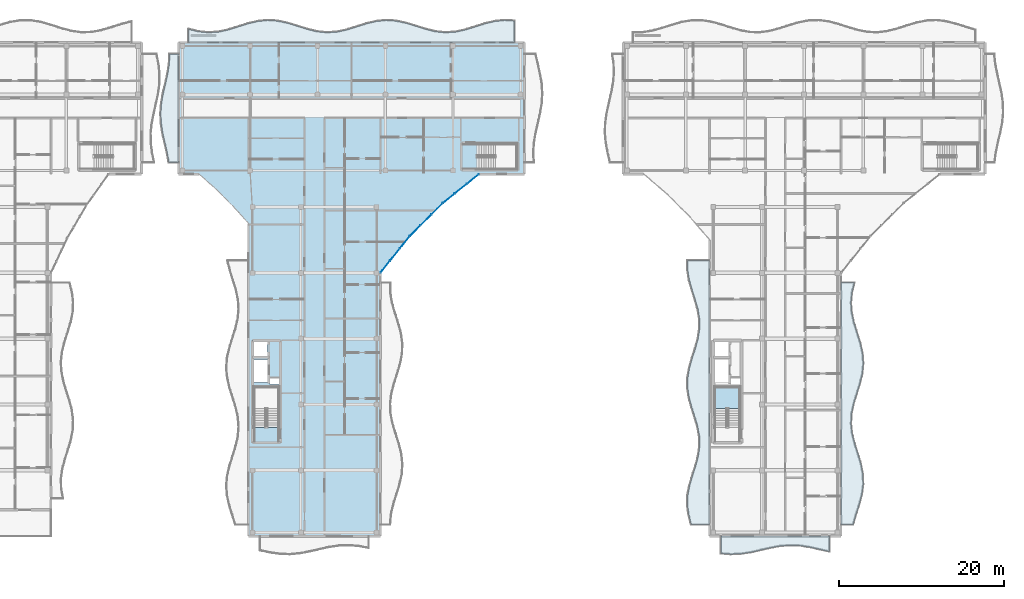
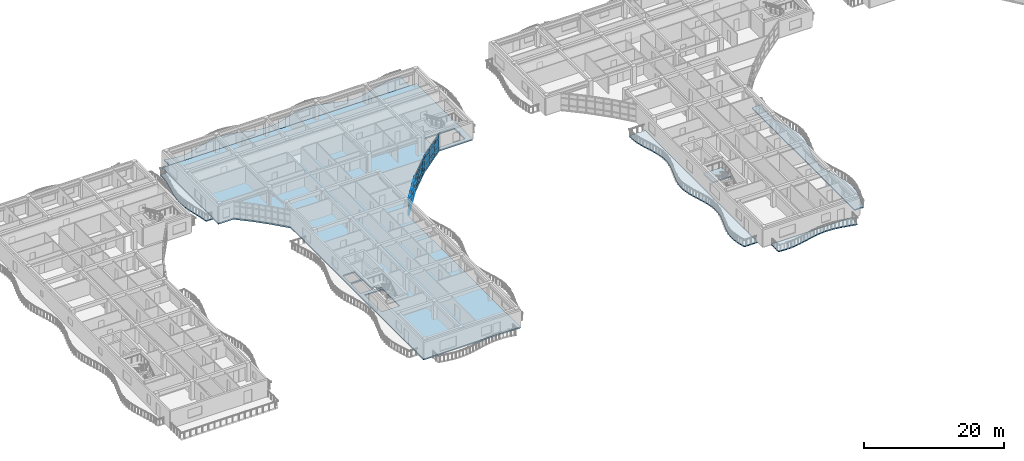
# One storey, part 25 of 72: 27 plates, 7 slabs, 4 elements without a shape of their own.
"""IFC4 building model written with IfcOpenShell, lengths in metres."""

from ifc_helpers import new_model, si_unit, direction, frame, origin, origin_2d, place, context, subcontext, project, spatial, polyline, rectangle, outline, extrude, material, layer, layer_set, type_object, element, aggregate, save


model = new_model("IFC4")

# Units and contexts
model_context = context("Model", 3, precision=1e-05, world=origin(), true_north=direction((0.0, 1.0)))
body_context = subcontext(model_context, "Body", "Model", "MODEL_VIEW")
ifc_project = project(units=[si_unit("LENGTHUNIT", "METRE"), si_unit("AREAUNIT", "SQUARE_METRE"), si_unit("VOLUMEUNIT", "CUBIC_METRE"), si_unit("PLANEANGLEUNIT", "RADIAN"), si_unit("MASSUNIT", "GRAM", prefix="KILO")], contexts=[model_context])

# Site, building, storey
site_placement = place(None, origin())
site = spatial("IfcSite", under=ifc_project, at=site_placement, CompositionType="ELEMENT")
building_placement = place(site_placement, origin())
building = spatial("IfcBuilding", under=site, at=building_placement, Name="Keldmere Railside Commons", CompositionType="ELEMENT")
storey_placement = place(building_placement, frame((0.0, 0.0, 16.9599609375)))
storey = spatial("IfcBuildingStorey", under=building, at=storey_placement, Name="L05", CompositionType="ELEMENT", Elevation=16.9599609375)

# Curtain wall, plates
ifc_material_1 = material(Name="Thermally Broken Aluminium", Category="aluminium")
ifc_layer_1 = layer(ifc_material_1, 0.159912109375, Name="Court Chord Wintergarden CW 4800x2850")
ifc_layer_set_1 = layer_set([ifc_layer_1], Name="Thermally Broken Aluminium")
curtain_wall_type_1 = type_object("IfcCurtainWallType", Name="Court Chord Wintergarden CW 4800x2850", PredefinedType="NOTDEFINED", material=ifc_layer_set_1)
curtain_wall_1_placement = place(storey_placement, origin())
curtain_wall_1 = element("IfcCurtainWall", 1, at=curtain_wall_1_placement, inside=storey, type_object=curtain_wall_type_1, Name="CW-12 CW-L05-055", PredefinedType="NOTDEFINED")
ifc_material_2 = material(Name="Low-E Insulated Double Glazing", Category="glass")
ifc_layer_2 = layer(ifc_material_2, 0.033935546875, Name="Acoustic Laminated Vision Panel 34")
ifc_layer_set_2 = layer_set([ifc_layer_2], Name="Low-E Insulated Double Glazing")
plate_type_1 = type_object("IfcPlateType", Name="Acoustic Laminated Vision Panel 34", PredefinedType="CURTAIN_PANEL", material=ifc_layer_set_2)
plate_1_placement = place(storey_placement, frame((66.951416015625, 91.678955078125, 0.06494140625), z_axis=(0.0, 0.0, 1.0), x_axis=(-0.625768080915, -0.780009172323, 0.0)))
plate_1 = element("IfcPlate", 2, at=plate_1_placement, type_object=plate_type_1, Name="CW-12 panel 1.1", PredefinedType="CURTAIN_PANEL", context=body_context, shape_type="SweptSolid", body=[
    extrude(rectangle(XDim=1.795654296875, YDim=0.033935546875, at=origin_2d()), origin(), (0.0, 0.0, 1.0), 0.802490234375),
])
plate_2_placement = place(storey_placement, frame((66.951416015625, 91.678955078125, 0.9326171875), z_axis=(0.0, 0.0, 1.0), x_axis=(-0.625768080915, -0.780009172323, 0.0)))
plate_2 = element("IfcPlate", 3, at=plate_2_placement, type_object=plate_type_1, Name="CW-12 panel 1.2", PredefinedType="CURTAIN_PANEL", context=body_context, shape_type="SweptSolid", body=[
    extrude(rectangle(XDim=1.795654296875, YDim=0.033935546875, at=origin_2d()), origin(), (0.0, 0.0, 1.0), 1.18505859375),
])
plate_3_placement = place(storey_placement, frame((66.951416015625, 91.678955078125, 2.1826171875), z_axis=(0.0, 0.0, 1.0), x_axis=(-0.625768080915, -0.780009172323, 0.0)))
plate_3 = element("IfcPlate", 4, at=plate_3_placement, type_object=plate_type_1, Name="CW-12 panel 1.3", PredefinedType="CURTAIN_PANEL", context=body_context, shape_type="SweptSolid", body=[
    extrude(rectangle(XDim=1.795654296875, YDim=0.033935546875, at=origin_2d()), origin(), (0.0, 0.0, 1.0), 0.732421875),
])
plate_4_placement = place(storey_placement, frame((65.777099609375, 90.215087890625, 0.06494140625), z_axis=(0.0, 0.0, 1.0), x_axis=(-0.625768080915, -0.780009172323, 0.0)))
plate_4 = element("IfcPlate", 5, at=plate_4_placement, type_object=plate_type_1, Name="CW-12 panel 2.1", PredefinedType="CURTAIN_PANEL", context=body_context, shape_type="SweptSolid", body=[
    extrude(rectangle(XDim=1.828125, YDim=0.033935546875, at=origin_2d()), origin(), (0.0, 0.0, 1.0), 0.802490234375),
])
plate_5_placement = place(storey_placement, frame((65.777099609375, 90.215087890625, 0.9326171875), z_axis=(0.0, 0.0, 1.0), x_axis=(-0.625768080915, -0.780009172323, 0.0)))
plate_5 = element("IfcPlate", 6, at=plate_5_placement, type_object=plate_type_1, Name="CW-12 panel 2.2", PredefinedType="CURTAIN_PANEL", context=body_context, shape_type="SweptSolid", body=[
    extrude(rectangle(XDim=1.828125, YDim=0.033935546875, at=origin_2d()), origin(), (0.0, 0.0, 1.0), 1.18505859375),
])
plate_6_placement = place(storey_placement, frame((65.777099609375, 90.215087890625, 2.1826171875), z_axis=(0.0, 0.0, 1.0), x_axis=(-0.625768080915, -0.780009172323, 0.0)))
plate_6 = element("IfcPlate", 7, at=plate_6_placement, type_object=plate_type_1, Name="CW-12 panel 2.3", PredefinedType="CURTAIN_PANEL", context=body_context, shape_type="SweptSolid", body=[
    extrude(rectangle(XDim=1.828125, YDim=0.033935546875, at=origin_2d()), origin(), (0.0, 0.0, 1.0), 0.732421875),
])
plate_7_placement = place(storey_placement, frame((64.6025390625, 88.7509765625, 0.06494140625), z_axis=(0.0, 0.0, 1.0), x_axis=(-0.625768080915, -0.780009172323, 0.0)))
plate_7 = element("IfcPlate", 8, at=plate_7_placement, type_object=plate_type_1, Name="CW-12 panel 3.1", PredefinedType="CURTAIN_PANEL", context=body_context, shape_type="SweptSolid", body=[
    extrude(rectangle(XDim=1.795654296875, YDim=0.033935546875, at=origin_2d()), origin(), (0.0, 0.0, 1.0), 0.802490234375),
])
plate_8_placement = place(storey_placement, frame((64.6025390625, 88.7509765625, 0.9326171875), z_axis=(0.0, 0.0, 1.0), x_axis=(-0.625768080915, -0.780009172323, 0.0)))
plate_8 = element("IfcPlate", 9, at=plate_8_placement, type_object=plate_type_1, Name="CW-12 panel 3.2", PredefinedType="CURTAIN_PANEL", context=body_context, shape_type="SweptSolid", body=[
    extrude(rectangle(XDim=1.795654296875, YDim=0.033935546875, at=origin_2d()), origin(), (0.0, 0.0, 1.0), 1.18505859375),
])
plate_9_placement = place(storey_placement, frame((64.6025390625, 88.7509765625, 2.1826171875), z_axis=(0.0, 0.0, 1.0), x_axis=(-0.625768080915, -0.780009172323, 0.0)))
plate_9 = element("IfcPlate", 10, at=plate_9_placement, type_object=plate_type_1, Name="CW-12 panel 3.3", PredefinedType="CURTAIN_PANEL", context=body_context, shape_type="SweptSolid", body=[
    extrude(rectangle(XDim=1.795654296875, YDim=0.033935546875, at=origin_2d()), origin(), (0.0, 0.0, 1.0), 0.732421875),
])
aggregate(curtain_wall_1, [plate_1, plate_2, plate_3, plate_4, plate_5, plate_6, plate_7, plate_8, plate_9])

ifc_layer_3 = layer(ifc_material_1, 0.159912109375, Name="Court Chord Wintergarden CW 5400x2850")
ifc_layer_set_3 = layer_set([ifc_layer_3], Name="Thermally Broken Aluminium")
curtain_wall_type_2 = type_object("IfcCurtainWallType", Name="Court Chord Wintergarden CW 5400x2850", PredefinedType="NOTDEFINED", material=ifc_layer_set_3)
curtain_wall_2_placement = place(storey_placement, origin())
curtain_wall_2 = element("IfcCurtainWall", 11, at=curtain_wall_2_placement, inside=storey, type_object=curtain_wall_type_2, Name="CW-13 CW-L05-056", PredefinedType="NOTDEFINED")
ifc_layer_4 = layer(ifc_material_2, 0.031982421875, Name="Clerestory Solar-Control Vision Panel 32")
ifc_layer_set_4 = layer_set([ifc_layer_4], Name="Low-E Insulated Double Glazing")
plate_type_2 = type_object("IfcPlateType", Name="Clerestory Solar-Control Vision Panel 32", PredefinedType="CURTAIN_PANEL", material=ifc_layer_set_4)
plate_10_placement = place(storey_placement, frame((70.88916015625, 95.76513671875, 0.06494140625), z_axis=(0.0, 0.0, 1.0), x_axis=(-0.707106781187, -0.707106781187, 0.0)))
plate_10 = element("IfcPlate", 12, at=plate_10_placement, type_object=plate_type_2, Name="CW-13 panel 1.1", PredefinedType="CURTAIN_PANEL", context=body_context, shape_type="SweptSolid", body=[
    extrude(rectangle(XDim=1.795654296875, YDim=0.031982421875, at=origin_2d()), origin(), (0.0, 0.0, 1.0), 0.802490234375),
])
plate_11_placement = place(storey_placement, frame((70.88916015625, 95.76513671875, 0.9326171875), z_axis=(0.0, 0.0, 1.0), x_axis=(-0.707106781187, -0.707106781187, 0.0)))
plate_11 = element("IfcPlate", 13, at=plate_11_placement, type_object=plate_type_2, Name="CW-13 panel 1.2", PredefinedType="CURTAIN_PANEL", context=body_context, shape_type="SweptSolid", body=[
    extrude(rectangle(XDim=1.795654296875, YDim=0.031982421875, at=origin_2d()), origin(), (0.0, 0.0, 1.0), 1.18505859375),
])
plate_12_placement = place(storey_placement, frame((70.88916015625, 95.76513671875, 2.1826171875), z_axis=(0.0, 0.0, 1.0), x_axis=(-0.707106781187, -0.707106781187, 0.0)))
plate_12 = element("IfcPlate", 14, at=plate_12_placement, type_object=plate_type_2, Name="CW-13 panel 1.3", PredefinedType="CURTAIN_PANEL", context=body_context, shape_type="SweptSolid", body=[
    extrude(rectangle(XDim=1.795654296875, YDim=0.031982421875, at=origin_2d()), origin(), (0.0, 0.0, 1.0), 0.732421875),
])
plate_13_placement = place(storey_placement, frame((69.56201171875, 94.43798828125, 0.06494140625), z_axis=(0.0, 0.0, 1.0), x_axis=(-0.707106781187, -0.707106781187, 0.0)))
plate_13 = element("IfcPlate", 15, at=plate_13_placement, type_object=plate_type_2, Name="CW-13 panel 2.1", PredefinedType="CURTAIN_PANEL", context=body_context, shape_type="SweptSolid", body=[
    extrude(rectangle(XDim=1.828125, YDim=0.031982421875, at=origin_2d()), origin(), (0.0, 0.0, 1.0), 0.802490234375),
])
plate_14_placement = place(storey_placement, frame((69.56201171875, 94.43798828125, 0.9326171875), z_axis=(0.0, 0.0, 1.0), x_axis=(-0.707106781187, -0.707106781187, 0.0)))
plate_14 = element("IfcPlate", 16, at=plate_14_placement, type_object=plate_type_2, Name="CW-13 panel 2.2", PredefinedType="CURTAIN_PANEL", context=body_context, shape_type="SweptSolid", body=[
    extrude(rectangle(XDim=1.828125, YDim=0.031982421875, at=origin_2d()), origin(), (0.0, 0.0, 1.0), 1.18505859375),
])
plate_15_placement = place(storey_placement, frame((69.56201171875, 94.43798828125, 2.1826171875), z_axis=(0.0, 0.0, 1.0), x_axis=(-0.707106781187, -0.707106781187, 0.0)))
plate_15 = element("IfcPlate", 17, at=plate_15_placement, type_object=plate_type_2, Name="CW-13 panel 2.3", PredefinedType="CURTAIN_PANEL", context=body_context, shape_type="SweptSolid", body=[
    extrude(rectangle(XDim=1.828125, YDim=0.031982421875, at=origin_2d()), origin(), (0.0, 0.0, 1.0), 0.732421875),
])
plate_16_placement = place(storey_placement, frame((68.23486328125, 93.11083984375, 0.06494140625), z_axis=(0.0, 0.0, 1.0), x_axis=(-0.707106781187, -0.707106781187, 0.0)))
plate_16 = element("IfcPlate", 18, at=plate_16_placement, type_object=plate_type_2, Name="CW-13 panel 3.1", PredefinedType="CURTAIN_PANEL", context=body_context, shape_type="SweptSolid", body=[
    extrude(rectangle(XDim=1.795654296875, YDim=0.031982421875, at=origin_2d()), origin(), (0.0, 0.0, 1.0), 0.802490234375),
])
plate_17_placement = place(storey_placement, frame((68.23486328125, 93.11083984375, 0.9326171875), z_axis=(0.0, 0.0, 1.0), x_axis=(-0.707106781187, -0.707106781187, 0.0)))
plate_17 = element("IfcPlate", 19, at=plate_17_placement, type_object=plate_type_2, Name="CW-13 panel 3.2", PredefinedType="CURTAIN_PANEL", context=body_context, shape_type="SweptSolid", body=[
    extrude(rectangle(XDim=1.795654296875, YDim=0.031982421875, at=origin_2d()), origin(), (0.0, 0.0, 1.0), 1.18505859375),
])
plate_18_placement = place(storey_placement, frame((68.23486328125, 93.11083984375, 2.1826171875), z_axis=(0.0, 0.0, 1.0), x_axis=(-0.707106781187, -0.707106781187, 0.0)))
plate_18 = element("IfcPlate", 20, at=plate_18_placement, type_object=plate_type_2, Name="CW-13 panel 3.3", PredefinedType="CURTAIN_PANEL", context=body_context, shape_type="SweptSolid", body=[
    extrude(rectangle(XDim=1.795654296875, YDim=0.031982421875, at=origin_2d()), origin(), (0.0, 0.0, 1.0), 0.732421875),
])
aggregate(curtain_wall_2, [plate_10, plate_11, plate_12, plate_13, plate_14, plate_15, plate_16, plate_17, plate_18])

# Stair, slab
ifc_material_3 = material(Name="Concrete H-30 (C30/37)", Category="concrete")
stair_type = type_object("IfcStairType", Name="Basement Garage Dogleg Escape Stair 1450", PredefinedType="HALF_TURN_STAIR", material=ifc_material_3)
stair_placement = place(storey_placement, origin())
stair = element("IfcStair", 21, at=stair_placement, inside=storey, type_object=stair_type, Name="L05 Block B Primary Escape Stair 1", PredefinedType="HALF_TURN_STAIR")
ifc_layer_5 = layer(ifc_material_3, 0.199951171875, Name="Enclosed Stair Landing Slab 200")
ifc_layer_set_5 = layer_set([ifc_layer_5], Name="Concrete H-30 (C30/37)")
slab_type_1 = type_object("IfcSlabType", Name="Enclosed Stair Landing Slab 200", PredefinedType="LANDING", material=ifc_layer_set_5)
slab_1_placement = place(storey_placement, frame((0.0, 0.0, 1.400146484375)))
slab_1 = element("IfcSlab", 22, at=slab_1_placement, type_object=slab_type_1, Name="ST-B1 landing 1", PredefinedType="LANDING", context=body_context, shape_type="SweptSolid", body=[
    extrude(outline(polyline([(107.699951171875, 71.52001953125), (107.699951171875, 74.10009765625), (104.64990234375, 74.10009765625), (104.64990234375, 71.52001953125), (107.699951171875, 71.52001953125)])), origin(), (0.0, 0.0, 1.0), 0.199951171875),
])
aggregate(stair, [slab_1])

# Curtain wall, plates
curtain_wall_3_placement = place(storey_placement, origin())
curtain_wall_3 = element("IfcCurtainWall", 23, at=curtain_wall_3_placement, inside=storey, type_object=curtain_wall_type_1, Name="CW-12 CW-L05-057", PredefinedType="NOTDEFINED")
ifc_layer_6 = layer(ifc_material_2, 0.028076171875, Name="Low-E Vision Glazing Panel 28")
ifc_layer_set_6 = layer_set([ifc_layer_6], Name="Low-E Insulated Double Glazing")
plate_type_3 = type_object("IfcPlateType", Name="Low-E Vision Glazing Panel 28", PredefinedType="CURTAIN_PANEL", material=ifc_layer_set_6)
plate_19_placement = place(storey_placement, frame((75.2490234375, 99.3974609375, 0.06494140625), z_axis=(0.0, 0.0, 1.0), x_axis=(-0.780009172323, -0.625768080915, 0.0)))
plate_19 = element("IfcPlate", 24, at=plate_19_placement, type_object=plate_type_3, Name="CW-12 panel 1.1", PredefinedType="CURTAIN_PANEL", context=body_context, shape_type="SweptSolid", body=[
    extrude(rectangle(XDim=1.795654296875, YDim=0.028076171875, at=origin_2d()), origin(), (0.0, 0.0, 1.0), 0.802490234375),
])
plate_20_placement = place(storey_placement, frame((75.2490234375, 99.3974609375, 0.9326171875), z_axis=(0.0, 0.0, 1.0), x_axis=(-0.780009172323, -0.625768080915, 0.0)))
plate_20 = element("IfcPlate", 25, at=plate_20_placement, type_object=plate_type_3, Name="CW-12 panel 1.2", PredefinedType="CURTAIN_PANEL", context=body_context, shape_type="SweptSolid", body=[
    extrude(rectangle(XDim=1.795654296875, YDim=0.028076171875, at=origin_2d()), origin(), (0.0, 0.0, 1.0), 1.18505859375),
])
plate_21_placement = place(storey_placement, frame((75.2490234375, 99.3974609375, 2.1826171875), z_axis=(0.0, 0.0, 1.0), x_axis=(-0.780009172323, -0.625768080915, 0.0)))
plate_21 = element("IfcPlate", 26, at=plate_21_placement, type_object=plate_type_3, Name="CW-12 panel 1.3", PredefinedType="CURTAIN_PANEL", context=body_context, shape_type="SweptSolid", body=[
    extrude(rectangle(XDim=1.795654296875, YDim=0.028076171875, at=origin_2d()), origin(), (0.0, 0.0, 1.0), 0.732421875),
])
plate_22_placement = place(storey_placement, frame((73.784912109375, 98.222900390625, 0.06494140625), z_axis=(0.0, 0.0, 1.0), x_axis=(-0.780009172323, -0.625768080915, 0.0)))
plate_22 = element("IfcPlate", 27, at=plate_22_placement, type_object=plate_type_3, Name="CW-12 panel 2.1", PredefinedType="CURTAIN_PANEL", context=body_context, shape_type="SweptSolid", body=[
    extrude(rectangle(XDim=1.828125, YDim=0.028076171875, at=origin_2d()), origin(), (0.0, 0.0, 1.0), 0.802490234375),
])
plate_23_placement = place(storey_placement, frame((73.784912109375, 98.222900390625, 0.9326171875), z_axis=(0.0, 0.0, 1.0), x_axis=(-0.780009172323, -0.625768080915, 0.0)))
plate_23 = element("IfcPlate", 28, at=plate_23_placement, type_object=plate_type_3, Name="CW-12 panel 2.2", PredefinedType="CURTAIN_PANEL", context=body_context, shape_type="SweptSolid", body=[
    extrude(rectangle(XDim=1.828125, YDim=0.028076171875, at=origin_2d()), origin(), (0.0, 0.0, 1.0), 1.18505859375),
])
plate_24_placement = place(storey_placement, frame((73.784912109375, 98.222900390625, 2.1826171875), z_axis=(0.0, 0.0, 1.0), x_axis=(-0.780009172323, -0.625768080915, 0.0)))
plate_24 = element("IfcPlate", 29, at=plate_24_placement, type_object=plate_type_3, Name="CW-12 panel 2.3", PredefinedType="CURTAIN_PANEL", context=body_context, shape_type="SweptSolid", body=[
    extrude(rectangle(XDim=1.828125, YDim=0.028076171875, at=origin_2d()), origin(), (0.0, 0.0, 1.0), 0.732421875),
])
plate_25_placement = place(storey_placement, frame((72.321044921875, 97.048583984375, 0.06494140625), z_axis=(0.0, 0.0, 1.0), x_axis=(-0.780009172323, -0.625768080915, 0.0)))
plate_25 = element("IfcPlate", 30, at=plate_25_placement, type_object=plate_type_3, Name="CW-12 panel 3.1", PredefinedType="CURTAIN_PANEL", context=body_context, shape_type="SweptSolid", body=[
    extrude(rectangle(XDim=1.795654296875, YDim=0.028076171875, at=origin_2d()), origin(), (0.0, 0.0, 1.0), 0.802490234375),
])
plate_26_placement = place(storey_placement, frame((72.321044921875, 97.048583984375, 0.9326171875), z_axis=(0.0, 0.0, 1.0), x_axis=(-0.780009172323, -0.625768080915, 0.0)))
plate_26 = element("IfcPlate", 31, at=plate_26_placement, type_object=plate_type_3, Name="CW-12 panel 3.2", PredefinedType="CURTAIN_PANEL", context=body_context, shape_type="SweptSolid", body=[
    extrude(rectangle(XDim=1.795654296875, YDim=0.028076171875, at=origin_2d()), origin(), (0.0, 0.0, 1.0), 1.18505859375),
])
plate_27_placement = place(storey_placement, frame((72.321044921875, 97.048583984375, 2.1826171875), z_axis=(0.0, 0.0, 1.0), x_axis=(-0.780009172323, -0.625768080915, 0.0)))
plate_27 = element("IfcPlate", 32, at=plate_27_placement, type_object=plate_type_3, Name="CW-12 panel 3.3", PredefinedType="CURTAIN_PANEL", context=body_context, shape_type="SweptSolid", body=[
    extrude(rectangle(XDim=1.795654296875, YDim=0.028076171875, at=origin_2d()), origin(), (0.0, 0.0, 1.0), 0.732421875),
])
aggregate(curtain_wall_3, [plate_19, plate_20, plate_21, plate_22, plate_23, plate_24, plate_25, plate_26, plate_27])

# Slabs
ifc_layer_7 = layer(ifc_material_3, 0.219970703125, Name="Residential Flat Slab 220")
ifc_layer_set_7 = layer_set([ifc_layer_7], Name="Concrete H-30 (C30/37)")
slab_type_2 = type_object("IfcSlabType", Name="Residential Flat Slab 220", PredefinedType="FLOOR", material=ifc_layer_set_7)
slab_2_placement = place(storey_placement, frame((0.0, 0.0, -0.219970703125)))
element("IfcSlab", 33, at=slab_2_placement, inside=storey, type_object=slab_type_2, Name="FS-2 BLKC-L05-025", PredefinedType="FLOOR", context=body_context, shape_type="SweptSolid", body=[
    extrude(outline(polyline([(48.0, 56.0), (64.0, 56.0), (64.0, 88.0), (67.553955078125, 92.429931640625), (71.570068359375, 96.446044921875), (76.0, 100.0), (81.5, 100.0), (81.5, 116.0), (39.5, 116.0), (39.5, 100.0), (42.0, 100.0), (44.10791015625, 98.110107421875), (46.110107421875, 96.10791015625), (48.0, 94.0), (48.0, 56.0)]), holes=[polyline([(51.675048828125, 69.22509765625), (48.675048828125, 69.22509765625), (48.675048828125, 74.074951171875), (51.675048828125, 74.074951171875), (51.675048828125, 69.22509765625)]), polyline([(50.60009765625, 74.419921875), (50.60009765625, 75.159912109375), (51.699951171875, 75.159912109375), (51.699951171875, 74.419921875), (50.60009765625, 74.419921875)]), polyline([(50.39990234375, 74.699951171875), (48.39990234375, 74.699951171875), (48.39990234375, 77.5), (50.39990234375, 77.5), (50.39990234375, 74.699951171875)]), polyline([(50.300048828125, 77.75), (48.39990234375, 77.75), (48.39990234375, 79.800048828125), (50.300048828125, 79.800048828125), (50.300048828125, 77.75)]), polyline([(75.72509765625, 103.625), (80.574951171875, 103.625), (80.574951171875, 100.625), (75.72509765625, 100.625), (75.72509765625, 103.625)])]), origin(), (0.0, 0.0, 1.0), 0.219970703125),
])
ifc_material_4 = material(Name="White Precast Concrete H-35 (C35/45)", Category="concrete")
ifc_layer_8 = layer(ifc_material_4, 0.179931640625, Name="Sinusoidal Wave Balcony Slab 180")
ifc_layer_set_8 = layer_set([ifc_layer_8], Name="White Precast Concrete H-35 (C35/45)")
slab_type_3 = type_object("IfcSlabType", Name="Sinusoidal Wave Balcony Slab 180", PredefinedType="FLOOR", material=ifc_layer_set_8)
slab_3_placement = place(storey_placement, frame((0.0, 0.0, -0.179931640625)))
element("IfcSlab", 34, at=slab_3_placement, inside=storey, type_object=slab_type_3, Name="WB-1 C L05 N Wave Balcony", PredefinedType="FLOOR", context=body_context, shape_type="SweptSolid", body=[
    extrude(outline(polyline([(40.699951171875, 116.0), (41.89990234375, 116.0), (43.10009765625, 116.0), (44.300048828125, 116.0), (45.5, 116.0), (46.699951171875, 116.0), (47.89990234375, 116.0), (49.10009765625, 116.0), (50.300048828125, 116.0), (51.5, 116.0), (52.699951171875, 116.0), (53.89990234375, 116.0), (55.10009765625, 116.0), (56.300048828125, 116.0), (57.5, 116.0), (58.699951171875, 116.0), (59.89990234375, 116.0), (61.10009765625, 116.0), (62.300048828125, 116.0), (63.5, 116.0), (64.699951171875, 116.0), (65.89990234375, 116.0), (67.10009765625, 116.0), (68.300048828125, 116.0), (69.5, 116.0), (70.699951171875, 116.0), (71.89990234375, 116.0), (73.10009765625, 116.0), (74.300048828125, 116.0), (75.5, 116.0), (76.699951171875, 116.0), (77.89990234375, 116.0), (79.10009765625, 116.0), (80.300048828125, 116.0), (80.300048828125, 118.62255859375), (79.10009765625, 118.698486328125), (77.89990234375, 118.57373046875), (76.699951171875, 118.281982421875), (75.5, 117.901123046875), (74.300048828125, 117.533447265625), (73.10009765625, 117.27734375), (71.89990234375, 117.20166015625), (70.699951171875, 117.326416015625), (69.5, 117.6181640625), (68.300048828125, 117.998779296875), (67.10009765625, 118.366455078125), (65.89990234375, 118.62255859375), (64.699951171875, 118.698486328125), (63.5, 118.57373046875), (62.300048828125, 118.281982421875), (61.10009765625, 117.901123046875), (59.89990234375, 117.533447265625), (58.699951171875, 117.27734375), (57.5, 117.20166015625), (56.300048828125, 117.326416015625), (55.10009765625, 117.6181640625), (53.89990234375, 117.998779296875), (52.699951171875, 118.366455078125), (51.5, 118.62255859375), (50.300048828125, 118.698486328125), (49.10009765625, 118.57373046875), (47.89990234375, 118.281982421875), (46.699951171875, 117.901123046875), (45.5, 117.533447265625), (44.300048828125, 117.27734375), (43.10009765625, 117.20166015625), (41.89990234375, 117.326416015625), (40.699951171875, 117.6181640625), (40.699951171875, 116.0)])), origin(), (0.0, 0.0, 1.0), 0.179931640625),
])
slab_4_placement = place(storey_placement, frame((0.0, 0.0, -0.179931640625)))
element("IfcSlab", 35, at=slab_4_placement, inside=storey, type_object=slab_type_3, Name="WB-1 C L05 WW Wave Balcony", PredefinedType="FLOOR", context=body_context, shape_type="SweptSolid", body=[
    extrude(outline(polyline([(39.5, 101.39990234375), (39.5, 102.60009765625), (39.5, 103.800048828125), (39.5, 105.0), (39.5, 106.199951171875), (39.5, 107.39990234375), (39.5, 108.60009765625), (39.5, 109.800048828125), (39.5, 111.0), (39.5, 112.199951171875), (39.5, 113.39990234375), (39.5, 114.60009765625), (38.39892578125, 114.60009765625), (38.343017578125, 113.39990234375), (38.15478515625, 112.199951171875), (37.88525390625, 111.0), (37.60595703125, 109.800048828125), (37.392333984375, 108.60009765625), (37.301025390625, 107.39990234375), (37.357177734375, 106.199951171875), (37.545166015625, 105.0), (37.814697265625, 103.800048828125), (38.093994140625, 102.60009765625), (38.3076171875, 101.39990234375), (39.5, 101.39990234375)])), origin(), (0.0, 0.0, 1.0), 0.179931640625),
])
slab_5_placement = place(storey_placement, frame((0.0, 0.0, -0.179931640625)))
element("IfcSlab", 36, at=slab_5_placement, inside=storey, type_object=slab_type_3, Name="WB-1 B L05 CE Wave Balcony", PredefinedType="FLOOR", context=body_context, shape_type="SweptSolid", body=[
    extrude(outline(polyline([(121.447998046875, 57.39990234375), (121.802001953125, 58.625), (122.197265625, 59.85009765625), (122.5234375, 61.074951171875), (122.689697265625, 62.300048828125), (122.649658203125, 63.52490234375), (122.414306640625, 64.75), (122.049560546875, 65.97509765625), (121.656982421875, 67.199951171875), (121.34619140625, 68.425048828125), (121.203857421875, 69.64990234375), (121.26953125, 70.875), (121.525146484375, 72.10009765625), (121.899169921875, 73.324951171875), (122.28759765625, 74.550048828125), (122.58154296875, 75.77490234375), (122.699462890625, 77.0), (122.6083984375, 78.22509765625), (122.33349609375, 79.449951171875), (121.95166015625, 80.675048828125), (121.5693359375, 81.89990234375), (121.293212890625, 83.125), (121.2001953125, 84.35009765625), (121.31640625, 85.574951171875), (121.609375, 86.800048828125), (120.0, 86.800048828125), (120.0, 85.574951171875), (120.0, 84.35009765625), (120.0, 83.125), (120.0, 81.89990234375), (120.0, 80.675048828125), (120.0, 79.449951171875), (120.0, 78.22509765625), (120.0, 77.0), (120.0, 75.77490234375), (120.0, 74.550048828125), (120.0, 73.324951171875), (120.0, 72.10009765625), (120.0, 70.875), (120.0, 69.64990234375), (120.0, 68.425048828125), (120.0, 67.199951171875), (120.0, 65.97509765625), (120.0, 64.75), (120.0, 63.52490234375), (120.0, 62.300048828125), (120.0, 61.074951171875), (120.0, 59.85009765625), (120.0, 58.625), (120.0, 57.39990234375), (121.447998046875, 57.39990234375)])), origin(), (0.0, 0.0, 1.0), 0.179931640625),
])
slab_6_placement = place(storey_placement, frame((0.0, 0.0, -0.179931640625)))
element("IfcSlab", 37, at=slab_6_placement, inside=storey, type_object=slab_type_3, Name="WB-1 B L05 CW Wave Balcony", PredefinedType="FLOOR", context=body_context, shape_type="SweptSolid", body=[
    extrude(outline(polyline([(104.0, 57.39990234375), (104.0, 58.5888671875), (104.0, 59.77783203125), (104.0, 60.966796875), (104.0, 62.155517578125), (104.0, 63.344482421875), (104.0, 64.533203125), (104.0, 65.72216796875), (104.0, 66.9111328125), (104.0, 68.10009765625), (104.0, 69.288818359375), (104.0, 70.477783203125), (104.0, 71.666748046875), (104.0, 72.855712890625), (104.0, 74.04443359375), (104.0, 75.2333984375), (104.0, 76.422119140625), (104.0, 77.611083984375), (104.0, 78.800048828125), (104.0, 79.989013671875), (104.0, 81.177734375), (104.0, 82.36669921875), (104.0, 83.5556640625), (104.0, 84.744384765625), (104.0, 85.933349609375), (104.0, 87.122314453125), (104.0, 88.31103515625), (104.0, 89.5), (101.32080078125, 89.5), (101.329833984375, 88.31103515625), (101.5283203125, 87.122314453125), (101.864013671875, 85.933349609375), (102.248779296875, 84.744384765625), (102.581298828125, 83.5556640625), (102.773681640625, 82.36669921875), (102.77587890625, 81.177734375), (102.587158203125, 79.989013671875), (102.2568359375, 78.800048828125), (101.872314453125, 77.611083984375), (101.534423828125, 76.422119140625), (101.332275390625, 75.2333984375), (101.31884765625, 74.04443359375), (101.497802734375, 72.855712890625), (101.822265625, 71.666748046875), (102.206298828125, 70.477783203125), (102.549560546875, 69.288818359375), (102.76123046875, 68.10009765625), (102.78564453125, 66.9111328125), (102.61669921875, 65.72216796875), (102.298583984375, 64.533203125), (101.9150390625, 63.344482421875), (101.56689453125, 62.155517578125), (101.34619140625, 60.966796875), (101.310302734375, 59.77783203125), (101.46923828125, 58.5888671875), (101.781005859375, 57.39990234375), (104.0, 57.39990234375)])), origin(), (0.0, 0.0, 1.0), 0.179931640625),
])
slab_7_placement = place(storey_placement, frame((0.0, 0.0, -0.179931640625)))
element("IfcSlab", 38, at=slab_7_placement, inside=storey, type_object=slab_type_3, Name="WB-1 B L05 S Wave Balcony", PredefinedType="FLOOR", context=body_context, shape_type="SweptSolid", body=[
    extrude(outline(polyline([(105.39990234375, 53.897216796875), (106.60009765625, 53.8017578125), (107.800048828125, 53.85302734375), (109.0, 54.03759765625), (110.199951171875, 54.305908203125), (111.39990234375, 54.5859375), (112.60009765625, 54.802734375), (113.800048828125, 54.898193359375), (115.0, 54.846923828125), (116.199951171875, 54.662353515625), (117.39990234375, 54.394287109375), (118.60009765625, 54.114013671875), (118.60009765625, 56.0), (117.39990234375, 56.0), (116.199951171875, 56.0), (115.0, 56.0), (113.800048828125, 56.0), (112.60009765625, 56.0), (111.39990234375, 56.0), (110.199951171875, 56.0), (109.0, 56.0), (107.800048828125, 56.0), (106.60009765625, 56.0), (105.39990234375, 56.0), (105.39990234375, 53.897216796875)])), origin(), (0.0, 0.0, 1.0), 0.179931640625),
])

save(model, "model.ifc")
